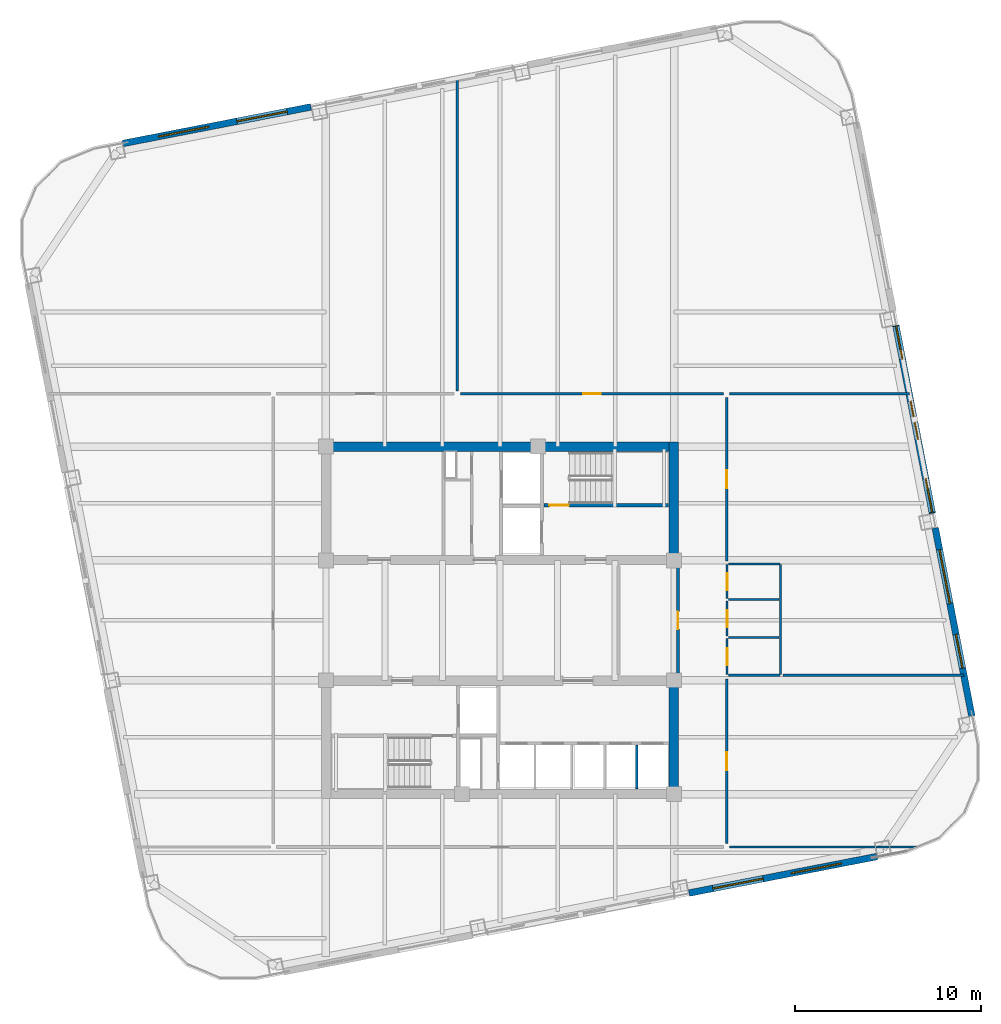
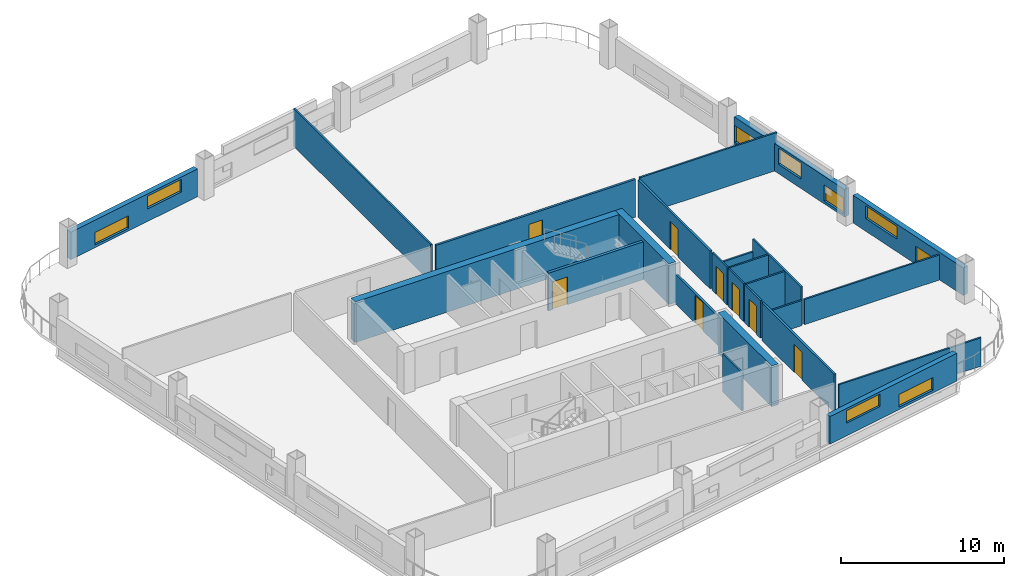
# One storey, part 4 of 8: 25 walls, 9 windows, 8 doors, 17 openings.
"""IFC4 building model written with IfcOpenShell, lengths in metres."""

from ifc_helpers import new_model, si_unit, direction, frame, frame_2d, origin, place, context, subcontext, project, spatial, rectangle, extrude, material, layer, layer_set, type_object, element, fill, save


model = new_model("IFC4")

# Units and contexts
model_context = context("Model", 3, precision=1e-05, world=origin(), true_north=direction((0.0, 1.0)))
body_context = subcontext(model_context, "Body", "Model", "MODEL_VIEW")
ifc_project = project(units=[si_unit("LENGTHUNIT", "METRE"), si_unit("AREAUNIT", "SQUARE_METRE"), si_unit("VOLUMEUNIT", "CUBIC_METRE"), si_unit("PLANEANGLEUNIT", "RADIAN"), si_unit("MASSUNIT", "GRAM", prefix="KILO")], contexts=[model_context])

# Site, building, storey
site_placement = place(None, origin())
site = spatial("IfcSite", under=ifc_project, at=site_placement, CompositionType="ELEMENT")
building_placement = place(site_placement, origin())
building = spatial("IfcBuilding", under=site, at=building_placement, Name="Qhalaya Broadcast Tower", CompositionType="ELEMENT")
storey_placement = place(building_placement, frame((0.0, 0.0, 115.85009765625)))
storey = spatial("IfcBuildingStorey", under=building, at=storey_placement, Name="L33", CompositionType="ELEMENT", Elevation=115.85009765625)

# Wall, opening, door
ifc_material_1 = material(Name="Gypsum Acoustic Partition")
ifc_layer_1 = layer(ifc_material_1, 0.14990234375, Name="Gypsum Acoustic Partition")
ifc_layer_set_1 = layer_set([ifc_layer_1], Name="Gypsum Acoustic Partition")
wall_type_1 = type_object("IfcWallType", Name="Corridor & Tenancy Acoustic Partition 150", PredefinedType="PARTITIONING", material=ifc_layer_set_1)
wall_1_placement = place(storey_placement, frame((9.580078125, -2.320068359375, 0.0), z_axis=(0.0, 0.0, 1.0), x_axis=(0.0, 1.0, 0.0)))
wall_1 = element("IfcWall", 1, at=wall_1_placement, inside=storey, type_object=wall_type_1, Name="L33 Partition Wall W-ICHE", PredefinedType="PARTITIONING", context=body_context, shape_type="SweptSolid", body=[
    extrude(rectangle(XDim=5.840087890625, YDim=0.14990234375, at=frame_2d((2.919921875, 0.0))), origin(), (0.0, 0.0, 1.0), 2.197998046875),
])
opening_1_placement = place(wall_1_placement, frame((2.445068359375, 0.0, 0.0)))
opening_1 = element("IfcOpeningElement", 2, at=opening_1_placement, cuts=wall_1, Name="Opening D10", PredefinedType="OPENING", context=body_context, shape_type="SweptSolid", body=[
    extrude(rectangle(XDim=0.949951171875, YDim=2.10009765625, at=frame_2d((0.47509765625, 1.050048828125))), frame((0.0, 0.0869140625, 0.0), z_axis=(0.0, -1.0, 0.0), x_axis=(1.0, 0.0, 0.0)), (0.0, 0.0, 1.0), 0.173828125),
])
ifc_material_2 = material(Name="Timber Veneer Acoustic Door", Category="wood")
door_type_1 = type_object("IfcDoorType", Name="Cellular Office & Edit Booth Door D10", OperationType="NOTDEFINED", PredefinedType="DOOR", material=ifc_material_2)
door_1_placement = place(opening_1_placement, origin())
door_1 = element("IfcDoor", 3, at=door_1_placement, inside=storey, type_object=door_type_1, Name="L33 Door D-ICHE", OperationType="SINGLE_SWING_RIGHT", OverallHeight=2.10009765625, OverallWidth=0.949951171875, PredefinedType="DOOR", context=body_context, shape_type="SweptSolid", body=[
    extrude(rectangle(XDim=0.949951171875, YDim=2.10009765625, at=frame_2d((0.47509765625, 1.050048828125))), frame((0.0, 0.02490234375, 0.0), z_axis=(0.0, -1.0, 0.0), x_axis=(1.0, 0.0, 0.0)), (0.0, 0.0, 1.0), 0.050048828125),
])
fill(opening_1, door_1)

wall_2_placement = place(storey_placement, frame((-2.1201171875, 12.800048828125, 0.0), z_axis=(0.0, 0.0, 1.0), x_axis=(1.0, 0.0, 0.0)))
wall_2 = element("IfcWall", 4, at=wall_2_placement, inside=storey, type_object=wall_type_1, Name="L33 Partition Wall W-COR-02", PredefinedType="PARTITIONING", context=body_context, shape_type="SweptSolid", body=[
    extrude(rectangle(XDim=14.14013671875, YDim=0.14990234375, at=frame_2d((7.070068359375, 0.0))), origin(), (0.0, 0.0, 1.0), 2.829833984375),
])
opening_2_placement = place(wall_2_placement, frame((6.594970703125, 0.0, 0.0)))
opening_2 = element("IfcOpeningElement", 5, at=opening_2_placement, cuts=wall_2, Name="Opening D10", PredefinedType="OPENING", context=body_context, shape_type="SweptSolid", body=[
    extrude(rectangle(XDim=0.949951171875, YDim=2.10009765625, at=frame_2d((0.47509765625, 1.050048828125))), frame((0.0, 0.0869140625, 0.0), z_axis=(0.0, -1.0, 0.0), x_axis=(1.0, 0.0, 0.0)), (0.0, 0.0, 1.0), 0.173828125),
])
door_2_placement = place(opening_2_placement, origin())
door_2 = element("IfcDoor", 6, at=door_2_placement, inside=storey, type_object=door_type_1, Name="L33 Door D-RM02", OperationType="SINGLE_SWING_RIGHT", OverallHeight=2.10009765625, OverallWidth=0.949951171875, PredefinedType="DOOR", context=body_context, shape_type="SweptSolid", body=[
    extrude(rectangle(XDim=0.949951171875, YDim=2.10009765625, at=frame_2d((0.47509765625, 1.050048828125))), frame((0.0, 0.02490234375, 0.0), z_axis=(0.0, -1.0, 0.0), x_axis=(1.0, 0.0, 0.0)), (0.0, 0.0, 1.0), 0.050048828125),
])
fill(opening_2, door_2)

wall_3_placement = place(storey_placement, frame((12.199951171875, -11.39990234375, 0.0), z_axis=(0.0, 0.0, 1.0), x_axis=(0.0, 1.0, 0.0)))
wall_3 = element("IfcWall", 7, at=wall_3_placement, inside=storey, type_object=wall_type_1, Name="L33 Partition Wall W-COR-05", PredefinedType="PARTITIONING", context=body_context, shape_type="SweptSolid", body=[
    extrude(rectangle(XDim=8.83984375, YDim=0.14990234375, at=frame_2d((4.419921875, 0.0))), origin(), (0.0, 0.0, 1.0), 2.829833984375),
])
opening_3_placement = place(wall_3_placement, frame((3.945068359375, 0.0, 0.0)))
opening_3 = element("IfcOpeningElement", 8, at=opening_3_placement, cuts=wall_3, Name="Opening D10", PredefinedType="OPENING", context=body_context, shape_type="SweptSolid", body=[
    extrude(rectangle(XDim=0.949951171875, YDim=2.10009765625, at=frame_2d((0.47509765625, 1.050048828125))), frame((0.0, 0.0869140625, 0.0), z_axis=(0.0, -1.0, 0.0), x_axis=(1.0, 0.0, 0.0)), (0.0, 0.0, 1.0), 0.173828125),
])
door_3_placement = place(opening_3_placement, origin())
door_3 = element("IfcDoor", 9, at=door_3_placement, inside=storey, type_object=door_type_1, Name="L33 Door D-RM05", OperationType="SINGLE_SWING_LEFT", OverallHeight=2.10009765625, OverallWidth=0.949951171875, PredefinedType="DOOR", context=body_context, shape_type="SweptSolid", body=[
    extrude(rectangle(XDim=0.949951171875, YDim=2.10009765625, at=frame_2d((0.47509765625, 1.050048828125))), frame((0.0, 0.02490234375, 0.0), z_axis=(0.0, -1.0, 0.0), x_axis=(1.0, 0.0, 0.0)), (0.0, 0.0, 1.0), 0.050048828125),
])
fill(opening_3, door_3)

wall_4_placement = place(storey_placement, frame((12.199951171875, 3.800048828125, 0.0), z_axis=(0.0, 0.0, 1.0), x_axis=(0.0, 1.0, 0.0)))
wall_4 = element("IfcWall", 10, at=wall_4_placement, inside=storey, type_object=wall_type_1, Name="L33 Partition Wall W-COR-06", PredefinedType="PARTITIONING", context=body_context, shape_type="SweptSolid", body=[
    extrude(rectangle(XDim=8.800048828125, YDim=0.14990234375, at=frame_2d((4.39990234375, 0.0))), origin(), (0.0, 0.0, 1.0), 2.829833984375),
])
opening_4_placement = place(wall_4_placement, frame((3.925048828125, 0.0, 0.0)))
opening_4 = element("IfcOpeningElement", 11, at=opening_4_placement, cuts=wall_4, Name="Opening D10", PredefinedType="OPENING", context=body_context, shape_type="SweptSolid", body=[
    extrude(rectangle(XDim=0.949951171875, YDim=2.10009765625, at=frame_2d((0.47509765625, 1.050048828125))), frame((0.0, 0.0869140625, 0.0), z_axis=(0.0, -1.0, 0.0), x_axis=(1.0, 0.0, 0.0)), (0.0, 0.0, 1.0), 0.173828125),
])
door_4_placement = place(opening_4_placement, origin())
door_4 = element("IfcDoor", 12, at=door_4_placement, inside=storey, type_object=door_type_1, Name="L33 Door D-RM06", OperationType="SINGLE_SWING_RIGHT", OverallHeight=2.10009765625, OverallWidth=0.949951171875, PredefinedType="DOOR", context=body_context, shape_type="SweptSolid", body=[
    extrude(rectangle(XDim=0.949951171875, YDim=2.10009765625, at=frame_2d((0.47509765625, 1.050048828125))), frame((0.0, 0.02490234375, 0.0), z_axis=(0.0, -1.0, 0.0), x_axis=(1.0, 0.0, 0.0)), (0.0, 0.0, 1.0), 0.050048828125),
])
fill(opening_4, door_4)

# Wall, openings, windows
ifc_material_3 = material(Name="Precast Concrete C40/50", Category="concrete")
ifc_layer_2 = layer(ifc_material_3, 0.360107421875, Name="Precast Concrete C40/50")
ifc_layer_set_2 = layer_set([ifc_layer_2], Name="Precast Concrete C40/50")
wall_type_2 = type_object("IfcWallType", Name="Insulated Precast Terracotta Exterior Wall 360", PredefinedType="SOLIDWALL", material=ifc_layer_set_2)
wall_5_placement = place(storey_placement, frame((20.29638671875, -12.10986328125, 0.0), z_axis=(0.0, 0.0, 1.0), x_axis=(-0.981628941133, -0.190799952646, 0.0)))
wall_5 = element("IfcWall", 13, at=wall_5_placement, inside=storey, type_object=wall_type_2, Name="L33 Exoskeleton Diagrid Infill Wall S1", PredefinedType="SOLIDWALL", context=body_context, shape_type="SweptSolid", body=[
    extrude(rectangle(XDim=10.31201171875, YDim=0.360107421875, at=frame_2d((5.156005859375, 0.0))), origin(), (0.0, 0.0, 1.0), 2.06689453125),
])
opening_5_placement = place(wall_5_placement, frame((1.949951171875, 0.0, 0.199951171875)))
opening_5 = element("IfcOpeningElement", 14, at=opening_5_placement, cuts=wall_5, Name="Opening W11", PredefinedType="OPENING", context=body_context, shape_type="SweptSolid", body=[
    extrude(rectangle(XDim=2.75, YDim=0.949951171875, at=frame_2d((1.375, 0.47509765625))), frame((0.0, 0.192138671875, 0.0), z_axis=(0.0, -1.0, 0.0), x_axis=(1.0, 0.0, 0.0)), (0.0, 0.0, 1.0), 0.384033203125),
])
opening_6_placement = place(wall_5_placement, frame((6.25, 0.0, 0.949951171875)))
opening_6 = element("IfcOpeningElement", 15, at=opening_6_placement, cuts=wall_5, Name="Opening W11", PredefinedType="OPENING", context=body_context, shape_type="SweptSolid", body=[
    extrude(rectangle(XDim=2.75, YDim=0.949951171875, at=frame_2d((1.375, 0.47509765625))), frame((0.0, 0.192138671875, 0.0), z_axis=(0.0, -1.0, 0.0), x_axis=(1.0, 0.0, 0.0)), (0.0, 0.0, 1.0), 0.384033203125),
])
ifc_material_4 = material(Name="Solar-Control Low-E Triple Glazing", Category="glass")
window_type = type_object("IfcWindowType", Name="Odd-Block Diagrid Infill Window W11", PartitioningType="SINGLE_PANEL", PredefinedType="WINDOW", material=ifc_material_4)
window_1_placement = place(opening_5_placement, origin())
window_1 = element("IfcWindow", 16, at=window_1_placement, inside=storey, type_object=window_type, Name="L33 Diagrid Infill Window W11-S1", OverallHeight=0.949951171875, OverallWidth=2.75, PartitioningType="SINGLE_PANEL", PredefinedType="WINDOW", context=body_context, shape_type="SweptSolid", body=[
    extrude(rectangle(XDim=2.75, YDim=0.949951171875, at=frame_2d((1.375, 0.47509765625))), frame((0.0, 0.030029296875, 0.0), z_axis=(0.0, -1.0, 0.0), x_axis=(1.0, 0.0, 0.0)), (0.0, 0.0, 1.0), 0.06005859375),
])
fill(opening_5, window_1)
window_2_placement = place(opening_6_placement, origin())
window_2 = element("IfcWindow", 17, at=window_2_placement, inside=storey, type_object=window_type, Name="L33 Diagrid Infill Window W11-S2", OverallHeight=0.949951171875, OverallWidth=2.75, PartitioningType="SINGLE_PANEL", PredefinedType="WINDOW", context=body_context, shape_type="SweptSolid", body=[
    extrude(rectangle(XDim=2.75, YDim=0.949951171875, at=frame_2d((1.375, 0.47509765625))), frame((0.0, 0.030029296875, 0.0), z_axis=(0.0, -1.0, 0.0), x_axis=(1.0, 0.0, 0.0)), (0.0, 0.0, 1.0), 0.06005859375),
])
fill(opening_6, window_2)

wall_6_placement = place(storey_placement, frame((21.31005859375, 16.468505859375, 0.0), z_axis=(0.0, 0.0, 1.0), x_axis=(0.190811924826, -0.981626614016, 0.0)))
wall_6 = element("IfcWall", 18, at=wall_6_placement, inside=storey, type_object=wall_type_2, Name="L33 Exoskeleton Diagrid Infill Wall E2", PredefinedType="SOLIDWALL", context=body_context, shape_type="SweptSolid", body=[
    extrude(rectangle(XDim=10.2998046875, YDim=0.360107421875, at=frame_2d((5.14990234375, 0.0))), origin(), (0.0, 0.0, 1.0), 2.06689453125),
])
opening_7_placement = place(wall_6_placement, frame((0.0380859375, 0.0, 0.199951171875)))
opening_7 = element("IfcOpeningElement", 19, at=opening_7_placement, cuts=wall_6, Name="Opening W11", PredefinedType="OPENING", context=body_context, shape_type="SweptSolid", body=[
    extrude(rectangle(XDim=1.800048828125, YDim=1.25, at=frame_2d((0.89990234375, 0.625))), frame((0.0, 0.192138671875, 0.0), z_axis=(0.0, -1.0, 0.0), x_axis=(1.0, 0.0, 0.0)), (0.0, 0.0, 1.0), 0.384033203125),
])
opening_8_placement = place(wall_6_placement, frame((4.137939453125, 0.0, 0.699951171875)))
opening_8 = element("IfcOpeningElement", 20, at=opening_8_placement, cuts=wall_6, Name="Opening W11", PredefinedType="OPENING", context=body_context, shape_type="SweptSolid", body=[
    extrude(rectangle(XDim=2.10009765625, YDim=1.199951171875, at=frame_2d((1.050048828125, 0.60009765625))), frame((0.0, 0.192138671875, 0.0), z_axis=(0.0, -1.0, 0.0), x_axis=(1.0, 0.0, 0.0)), (0.0, 0.0, 1.0), 0.384033203125),
])
opening_9_placement = place(wall_6_placement, frame((8.387939453125, 0.0, 0.199951171875)))
opening_9 = element("IfcOpeningElement", 21, at=opening_9_placement, cuts=wall_6, Name="Opening W11", PredefinedType="OPENING", context=body_context, shape_type="SweptSolid", body=[
    extrude(rectangle(XDim=1.85009765625, YDim=1.199951171875, at=frame_2d((0.925048828125, 0.60009765625))), frame((0.0, 0.192138671875, 0.0), z_axis=(0.0, -1.0, 0.0), x_axis=(1.0, 0.0, 0.0)), (0.0, 0.0, 1.0), 0.384033203125),
])
window_3_placement = place(opening_7_placement, origin())
window_3 = element("IfcWindow", 22, at=window_3_placement, inside=storey, type_object=window_type, Name="L33 Diagrid Infill Window W11-E3", OverallHeight=1.25, OverallWidth=1.800048828125, PartitioningType="SINGLE_PANEL", PredefinedType="WINDOW", context=body_context, shape_type="SweptSolid", body=[
    extrude(rectangle(XDim=1.800048828125, YDim=1.25, at=frame_2d((0.89990234375, 0.625))), frame((0.0, 0.030029296875, 0.0), z_axis=(0.0, -1.0, 0.0), x_axis=(1.0, 0.0, 0.0)), (0.0, 0.0, 1.0), 0.06005859375),
])
fill(opening_7, window_3)
window_4_placement = place(opening_8_placement, origin())
window_4 = element("IfcWindow", 23, at=window_4_placement, inside=storey, type_object=window_type, Name="L33 Diagrid Infill Window W11-E4", OverallHeight=1.199951171875, OverallWidth=2.10009765625, PartitioningType="SINGLE_PANEL", PredefinedType="WINDOW", context=body_context, shape_type="SweptSolid", body=[
    extrude(rectangle(XDim=2.10009765625, YDim=1.199951171875, at=frame_2d((1.050048828125, 0.60009765625))), frame((0.0, 0.030029296875, 0.0), z_axis=(0.0, -1.0, 0.0), x_axis=(1.0, 0.0, 0.0)), (0.0, 0.0, 1.0), 0.06005859375),
])
fill(opening_8, window_4)
window_5_placement = place(opening_9_placement, origin())
window_5 = element("IfcWindow", 24, at=window_5_placement, inside=storey, type_object=window_type, Name="L33 Diagrid Infill Window W11-E5", OverallHeight=1.199951171875, OverallWidth=1.85009765625, PartitioningType="SINGLE_PANEL", PredefinedType="WINDOW", context=body_context, shape_type="SweptSolid", body=[
    extrude(rectangle(XDim=1.85009765625, YDim=1.199951171875, at=frame_2d((0.925048828125, 0.60009765625))), frame((0.0, 0.030029296875, 0.0), z_axis=(0.0, -1.0, 0.0), x_axis=(1.0, 0.0, 0.0)), (0.0, 0.0, 1.0), 0.06005859375),
])
fill(opening_9, window_5)

wall_7_placement = place(storey_placement, frame((23.427978515625, 5.572509765625, 0.0), z_axis=(0.0, 0.0, 1.0), x_axis=(0.190827200853, -0.981623644486, 0.0)))
wall_7 = element("IfcWall", 25, at=wall_7_placement, inside=storey, type_object=wall_type_2, Name="L33 Exoskeleton Diagrid Infill Wall E3", PredefinedType="SOLIDWALL", context=body_context, shape_type="SweptSolid", body=[
    extrude(rectangle(XDim=10.311767578125, YDim=0.360107421875, at=frame_2d((5.15576171875, 0.0))), origin(), (0.0, 0.0, 1.0), 2.06689453125),
])
opening_10_placement = place(wall_7_placement, frame((1.18798828125, 0.0, 0.949951171875)))
opening_10 = element("IfcOpeningElement", 26, at=opening_10_placement, cuts=wall_7, Name="Opening W11", PredefinedType="OPENING", context=body_context, shape_type="SweptSolid", body=[
    extrude(rectangle(XDim=2.949951171875, YDim=0.949951171875, at=frame_2d((1.47509765625, 0.47509765625))), frame((0.0, 0.192138671875, 0.0), z_axis=(0.0, -1.0, 0.0), x_axis=(1.0, 0.0, 0.0)), (0.0, 0.0, 1.0), 0.384033203125),
])
opening_11_placement = place(wall_7_placement, frame((5.837890625, 0.0, 0.199951171875)))
opening_11 = element("IfcOpeningElement", 27, at=opening_11_placement, cuts=wall_7, Name="Opening W11", PredefinedType="OPENING", context=body_context, shape_type="SweptSolid", body=[
    extrude(rectangle(XDim=1.85009765625, YDim=1.14990234375, at=frame_2d((0.925048828125, 0.574951171875))), frame((0.0, 0.192138671875, 0.0), z_axis=(0.0, -1.0, 0.0), x_axis=(1.0, 0.0, 0.0)), (0.0, 0.0, 1.0), 0.384033203125),
])
window_6_placement = place(opening_10_placement, origin())
window_6 = element("IfcWindow", 28, at=window_6_placement, inside=storey, type_object=window_type, Name="L33 Diagrid Infill Window W11-E6", OverallHeight=0.949951171875, OverallWidth=2.949951171875, PartitioningType="SINGLE_PANEL", PredefinedType="WINDOW", context=body_context, shape_type="SweptSolid", body=[
    extrude(rectangle(XDim=2.949951171875, YDim=0.949951171875, at=frame_2d((1.47509765625, 0.47509765625))), frame((0.0, 0.030029296875, 0.0), z_axis=(0.0, -1.0, 0.0), x_axis=(1.0, 0.0, 0.0)), (0.0, 0.0, 1.0), 0.06005859375),
])
fill(opening_10, window_6)
window_7_placement = place(opening_11_placement, origin())
window_7 = element("IfcWindow", 29, at=window_7_placement, inside=storey, type_object=window_type, Name="L33 Diagrid Infill Window W11-E7", OverallHeight=1.14990234375, OverallWidth=1.85009765625, PartitioningType="SINGLE_PANEL", PredefinedType="WINDOW", context=body_context, shape_type="SweptSolid", body=[
    extrude(rectangle(XDim=1.85009765625, YDim=1.14990234375, at=frame_2d((0.925048828125, 0.574951171875))), frame((0.0, 0.030029296875, 0.0), z_axis=(0.0, -1.0, 0.0), x_axis=(1.0, 0.0, 0.0)), (0.0, 0.0, 1.0), 0.06005859375),
])
fill(opening_11, window_7)

wall_8_placement = place(storey_placement, frame((-20.29638671875, 26.269775390625, 0.0), z_axis=(0.0, 0.0, 1.0), x_axis=(0.981628941133, 0.190799952646, 0.0)))
wall_8 = element("IfcWall", 30, at=wall_8_placement, inside=storey, type_object=wall_type_2, Name="L33 Exoskeleton Diagrid Infill Wall N1", PredefinedType="SOLIDWALL", context=body_context, shape_type="SweptSolid", body=[
    extrude(rectangle(XDim=10.31201171875, YDim=0.360107421875, at=frame_2d((5.156005859375, 0.0))), origin(), (0.0, 0.0, 1.0), 2.06689453125),
])
opening_12_placement = place(wall_8_placement, frame((1.949951171875, 0.0, 0.199951171875)))
opening_12 = element("IfcOpeningElement", 31, at=opening_12_placement, cuts=wall_8, Name="Opening W11", PredefinedType="OPENING", context=body_context, shape_type="SweptSolid", body=[
    extrude(rectangle(XDim=2.75, YDim=0.949951171875, at=frame_2d((1.375, 0.47509765625))), frame((0.0, 0.192138671875, 0.0), z_axis=(0.0, -1.0, 0.0), x_axis=(1.0, 0.0, 0.0)), (0.0, 0.0, 1.0), 0.384033203125),
])
opening_13_placement = place(wall_8_placement, frame((6.25, 0.0, 0.949951171875)))
opening_13 = element("IfcOpeningElement", 32, at=opening_13_placement, cuts=wall_8, Name="Opening W11", PredefinedType="OPENING", context=body_context, shape_type="SweptSolid", body=[
    extrude(rectangle(XDim=2.75, YDim=0.949951171875, at=frame_2d((1.375, 0.47509765625))), frame((0.0, 0.192138671875, 0.0), z_axis=(0.0, -1.0, 0.0), x_axis=(1.0, 0.0, 0.0)), (0.0, 0.0, 1.0), 0.384033203125),
])
window_8_placement = place(opening_12_placement, origin())
window_8 = element("IfcWindow", 33, at=window_8_placement, inside=storey, type_object=window_type, Name="L33 Diagrid Infill Window W11-N1", OverallHeight=0.949951171875, OverallWidth=2.75, PartitioningType="SINGLE_PANEL", PredefinedType="WINDOW", context=body_context, shape_type="SweptSolid", body=[
    extrude(rectangle(XDim=2.75, YDim=0.949951171875, at=frame_2d((1.375, 0.47509765625))), frame((0.0, 0.030029296875, 0.0), z_axis=(0.0, -1.0, 0.0), x_axis=(1.0, 0.0, 0.0)), (0.0, 0.0, 1.0), 0.06005859375),
])
fill(opening_12, window_8)
window_9_placement = place(opening_13_placement, origin())
window_9 = element("IfcWindow", 34, at=window_9_placement, inside=storey, type_object=window_type, Name="L33 Diagrid Infill Window W11-N2", OverallHeight=0.949951171875, OverallWidth=2.75, PartitioningType="SINGLE_PANEL", PredefinedType="WINDOW", context=body_context, shape_type="SweptSolid", body=[
    extrude(rectangle(XDim=2.75, YDim=0.949951171875, at=frame_2d((1.375, 0.47509765625))), frame((0.0, 0.030029296875, 0.0), z_axis=(0.0, -1.0, 0.0), x_axis=(1.0, 0.0, 0.0)), (0.0, 0.0, 1.0), 0.06005859375),
])
fill(opening_13, window_9)

# Wall, opening, door
ifc_material_5 = material(Name="Concrete C50/60", Category="concrete")
ifc_layer_3 = layer(ifc_material_5, 0.199951171875, Name="Concrete C50/60")
ifc_layer_set_3 = layer_set([ifc_layer_3], Name="Concrete C50/60")
wall_type_3 = type_object("IfcWallType", Name="Load-Bearing Stair Shaft Wall 200", PredefinedType="SHEAR", material=ifc_layer_set_3)
wall_9_placement = place(storey_placement, frame((2.360107421875, 6.804931640625, 0.0), z_axis=(0.0, 0.0, 1.0), x_axis=(1.0, 0.0, 0.0)))
wall_9 = element("IfcWall", 35, at=wall_9_placement, inside=storey, type_object=wall_type_3, Name="L33 Stair Core Shear Wall NCW-ST1", PredefinedType="SHEAR", context=body_context, shape_type="SweptSolid", body=[
    extrude(rectangle(XDim=6.719970703125, YDim=0.199951171875, at=frame_2d((3.35986328125, 0.0))), origin(), (0.0, 0.0, 1.0), 2.829833984375),
])
opening_14_placement = place(wall_9_placement, frame((0.300048828125, 0.0, 0.0)))
opening_14 = element("IfcOpeningElement", 36, at=opening_14_placement, cuts=wall_9, Name="Opening D03", PredefinedType="OPENING", context=body_context, shape_type="SweptSolid", body=[
    extrude(rectangle(XDim=1.050048828125, YDim=2.080078125, at=frame_2d((0.52490234375, 1.0400390625))), frame((0.0, 0.112060546875, 0.0), z_axis=(0.0, -1.0, 0.0), x_axis=(1.0, 0.0, 0.0)), (0.0, 0.0, 1.0), 0.223876953125),
])
ifc_material_6 = material(Name="Fire-Rated Steel Door", Category="steel")
door_type_2 = type_object("IfcDoorType", Name="Core Stair Protected Fire Door D03", OperationType="NOTDEFINED", PredefinedType="DOOR", material=ifc_material_6)
door_5_placement = place(opening_14_placement, origin())
door_5 = element("IfcDoor", 37, at=door_5_placement, inside=storey, type_object=door_type_2, Name="L33 Door D-NST1", OperationType="SINGLE_SWING_LEFT", OverallHeight=2.080078125, OverallWidth=1.050048828125, PredefinedType="DOOR", context=body_context, shape_type="SweptSolid", body=[
    extrude(rectangle(XDim=1.050048828125, YDim=2.080078125, at=frame_2d((0.52490234375, 1.0400390625))), frame((0.0, 0.02490234375, 0.0), z_axis=(0.0, -1.0, 0.0), x_axis=(1.0, 0.0, 0.0)), (0.0, 0.0, 1.0), 0.050048828125),
])
fill(opening_14, door_5)

# Walls
ifc_layer_4 = layer(ifc_material_5, 0.5, Name="Concrete C50/60")
ifc_layer_set_4 = layer_set([ifc_layer_4], Name="Concrete C50/60")
wall_type_4 = type_object("IfcWallType", Name="Mid Split-Core Shear Wall 500", PredefinedType="SHEAR", material=ifc_layer_set_4)
wall_10_placement = place(storey_placement, frame((-9.60009765625, 9.949951171875, 0.0), z_axis=(0.0, 0.0, 1.0), x_axis=(1.0, 0.0, 0.0)))
element("IfcWall", 38, at=wall_10_placement, inside=storey, type_object=wall_type_4, Name="L33 Split-Core Shear Wall CW-NN", PredefinedType="SHEAR", context=body_context, shape_type="SweptSolid", body=[
    extrude(rectangle(XDim=19.2001953125, YDim=0.5, at=frame_2d((9.60009765625, 0.0))), origin(), (0.0, 0.0, 1.0), 3.0498046875),
])
wall_11_placement = place(storey_placement, frame((9.35009765625, 3.60009765625, 0.0), z_axis=(0.0, 0.0, 1.0), x_axis=(0.0, 1.0, 0.0)))
element("IfcWall", 39, at=wall_11_placement, inside=storey, type_object=wall_type_4, Name="L33 Split-Core Shear Wall CW-NE", PredefinedType="SHEAR", context=body_context, shape_type="SweptSolid", body=[
    extrude(rectangle(XDim=6.599853515625, YDim=0.5, at=frame_2d((3.2998046875, 0.0))), origin(), (0.0, 0.0, 1.0), 3.0498046875),
])
wall_12_placement = place(storey_placement, frame((9.35009765625, -9.0, 0.0), z_axis=(0.0, 0.0, 1.0), x_axis=(0.0, 1.0, 0.0)))
element("IfcWall", 40, at=wall_12_placement, inside=storey, type_object=wall_type_4, Name="L33 Split-Core Shear Wall CW-SE", PredefinedType="SHEAR", context=body_context, shape_type="SweptSolid", body=[
    extrude(rectangle(XDim=6.60009765625, YDim=0.5, at=frame_2d((3.300048828125, 0.0))), origin(), (0.0, 0.0, 1.0), 3.0498046875),
])
ifc_layer_5 = layer(ifc_material_1, 0.1201171875, Name="Gypsum Acoustic Partition")
ifc_layer_set_5 = layer_set([ifc_layer_5], Name="Gypsum Acoustic Partition")
wall_type_5 = type_object("IfcWallType", Name="Office, Booth & Sanitary Partition 120", PredefinedType="PARTITIONING", material=ifc_layer_set_5)
wall_13_placement = place(storey_placement, frame((7.360107421875, -8.47998046875, 0.0), z_axis=(0.0, 0.0, 1.0), x_axis=(0.0, 1.0, 0.0)))
element("IfcWall", 41, at=wall_13_placement, inside=storey, type_object=wall_type_5, Name="L33 Partition Wall SCW-HD7", PredefinedType="PARTITIONING", context=body_context, shape_type="SweptSolid", body=[
    extrude(rectangle(XDim=2.3798828125, YDim=0.1201171875, at=frame_2d((1.18994140625, 0.0))), origin(), (0.0, 0.0, 1.0), 2.829833984375),
])

# Wall, opening, door
wall_14_placement = place(storey_placement, frame((12.219970703125, -2.320068359375, 0.0), z_axis=(0.0, 0.0, 1.0), x_axis=(0.0, 1.0, 0.0)))
wall_14 = element("IfcWall", 42, at=wall_14_placement, inside=storey, type_object=wall_type_5, Name="L33 Partition Wall W-WCWA", PredefinedType="PARTITIONING", context=body_context, shape_type="SweptSolid", body=[
    extrude(rectangle(XDim=1.940185546875, YDim=0.1201171875, at=frame_2d((0.97021484375, 0.0))), origin(), (0.0, 0.0, 1.0), 2.829833984375),
])
opening_15_placement = place(wall_14_placement, frame((0.4951171875, 0.0, 0.0)))
opening_15 = element("IfcOpeningElement", 43, at=opening_15_placement, cuts=wall_14, Name="Opening D12", PredefinedType="OPENING", context=body_context, shape_type="SweptSolid", body=[
    extrude(rectangle(XDim=0.919921875, YDim=2.10009765625, at=frame_2d((0.4599609375, 1.050048828125))), frame((0.0, 0.072021484375, 0.0), z_axis=(0.0, -1.0, 0.0), x_axis=(1.0, 0.0, 0.0)), (0.0, 0.0, 1.0), 0.14404296875),
])
door_type_3 = type_object("IfcDoorType", Name="Accessible WC & Restroom Door D12", OperationType="NOTDEFINED", PredefinedType="DOOR", material=ifc_material_2)
door_6_placement = place(opening_15_placement, origin())
door_6 = element("IfcDoor", 44, at=door_6_placement, inside=storey, type_object=door_type_3, Name="L33 Door D-WCA", OperationType="SINGLE_SWING_LEFT", OverallHeight=2.10009765625, OverallWidth=0.919921875, PredefinedType="DOOR", context=body_context, shape_type="SweptSolid", body=[
    extrude(rectangle(XDim=0.919921875, YDim=2.10009765625, at=frame_2d((0.4599609375, 1.050048828125))), frame((0.0, 0.02490234375, 0.0), z_axis=(0.0, -1.0, 0.0), x_axis=(1.0, 0.0, 0.0)), (0.0, 0.0, 1.0), 0.050048828125),
])
fill(opening_15, door_6)

wall_15_placement = place(storey_placement, frame((12.219970703125, -0.25, 0.0), z_axis=(0.0, 0.0, 1.0), x_axis=(0.0, 1.0, 0.0)))
wall_15 = element("IfcWall", 45, at=wall_15_placement, inside=storey, type_object=wall_type_5, Name="L33 Partition Wall W-WCWM", PredefinedType="PARTITIONING", context=body_context, shape_type="SweptSolid", body=[
    extrude(rectangle(XDim=1.89990234375, YDim=0.1201171875, at=frame_2d((0.949951171875, 0.0))), origin(), (0.0, 0.0, 1.0), 2.829833984375),
])
opening_16_placement = place(wall_15_placement, frame((0.47509765625, 0.0, 0.0)))
opening_16 = element("IfcOpeningElement", 46, at=opening_16_placement, cuts=wall_15, Name="Opening D12", PredefinedType="OPENING", context=body_context, shape_type="SweptSolid", body=[
    extrude(rectangle(XDim=0.919921875, YDim=2.10009765625, at=frame_2d((0.4599609375, 1.050048828125))), frame((0.0, 0.072021484375, 0.0), z_axis=(0.0, -1.0, 0.0), x_axis=(1.0, 0.0, 0.0)), (0.0, 0.0, 1.0), 0.14404296875),
])
door_7_placement = place(opening_16_placement, origin())
door_7 = element("IfcDoor", 47, at=door_7_placement, inside=storey, type_object=door_type_3, Name="L33 Door D-WCM", OperationType="SINGLE_SWING_RIGHT", OverallHeight=2.10009765625, OverallWidth=0.919921875, PredefinedType="DOOR", context=body_context, shape_type="SweptSolid", body=[
    extrude(rectangle(XDim=0.919921875, YDim=2.10009765625, at=frame_2d((0.4599609375, 1.050048828125))), frame((0.0, 0.02490234375, 0.0), z_axis=(0.0, -1.0, 0.0), x_axis=(1.0, 0.0, 0.0)), (0.0, 0.0, 1.0), 0.050048828125),
])
fill(opening_16, door_7)

wall_16_placement = place(storey_placement, frame((12.219970703125, 1.780029296875, 0.0), z_axis=(0.0, 0.0, 1.0), x_axis=(0.0, 1.0, 0.0)))
wall_16 = element("IfcWall", 48, at=wall_16_placement, inside=storey, type_object=wall_type_5, Name="L33 Partition Wall W-WCWF", PredefinedType="PARTITIONING", context=body_context, shape_type="SweptSolid", body=[
    extrude(rectangle(XDim=1.830078125, YDim=0.1201171875, at=frame_2d((0.9150390625, 0.0))), origin(), (0.0, 0.0, 1.0), 2.829833984375),
])
opening_17_placement = place(wall_16_placement, frame((0.43994140625, 0.0, 0.0)))
opening_17 = element("IfcOpeningElement", 49, at=opening_17_placement, cuts=wall_16, Name="Opening D12", PredefinedType="OPENING", context=body_context, shape_type="SweptSolid", body=[
    extrude(rectangle(XDim=0.919921875, YDim=2.10009765625, at=frame_2d((0.4599609375, 1.050048828125))), frame((0.0, 0.072021484375, 0.0), z_axis=(0.0, -1.0, 0.0), x_axis=(1.0, 0.0, 0.0)), (0.0, 0.0, 1.0), 0.14404296875),
])
door_8_placement = place(opening_17_placement, origin())
door_8 = element("IfcDoor", 50, at=door_8_placement, inside=storey, type_object=door_type_3, Name="L33 Door D-WCF", OperationType="SINGLE_SWING_LEFT", OverallHeight=2.10009765625, OverallWidth=0.919921875, PredefinedType="DOOR", context=body_context, shape_type="SweptSolid", body=[
    extrude(rectangle(XDim=0.919921875, YDim=2.10009765625, at=frame_2d((0.4599609375, 1.050048828125))), frame((0.0, 0.02490234375, 0.0), z_axis=(0.0, -1.0, 0.0), x_axis=(1.0, 0.0, 0.0)), (0.0, 0.0, 1.0), 0.050048828125),
])
fill(opening_17, door_8)

# Walls
wall_17_placement = place(storey_placement, frame((15.10009765625, -2.320068359375, 0.0), z_axis=(0.0, 0.0, 1.0), x_axis=(0.0, 1.0, 0.0)))
element("IfcWall", 51, at=wall_17_placement, inside=storey, type_object=wall_type_5, Name="L33 Partition Wall W-WCE", PredefinedType="PARTITIONING", context=body_context, shape_type="SweptSolid", body=[
    extrude(rectangle(XDim=5.93017578125, YDim=0.1201171875, at=frame_2d((2.965087890625, 0.0))), origin(), (0.0, 0.0, 1.0), 2.829833984375),
])
for number, where, z_axis, x_axis, name in (
    (52, (12.31005859375, -2.35009765625, 0.0), (0.0, 0.0, 1.0), (1.0, 0.0, 0.0), "L33 Partition Wall W-WCS"),
    (53, (12.31005859375, 3.639892578125, 0.0), (0.0, 0.0, 1.0), (1.0, 0.0, 0.0), "L33 Partition Wall W-WCN"),
):
    element("IfcWall", number, at=place(storey_placement, frame(where, z_axis=z_axis, x_axis=x_axis)), inside=storey, type_object=wall_type_5, Name=name, PredefinedType="PARTITIONING", context=body_context, shape_type="SweptSolid", body=[
        extrude(rectangle(XDim=2.760009765625, YDim=0.1201171875, at=frame_2d((1.3798828125, 0.0))), origin(), (0.0, 0.0, 1.0), 1.8828125),
    ])
for number, where, z_axis, x_axis, name in (
    (54, (12.31005859375, -0.320068359375, 0.0), (0.0, 0.0, 1.0), (1.0, 0.0, 0.0), "L33 Partition Wall W-WCD1"),
    (55, (12.31005859375, 1.719970703125, 0.0), (0.0, 0.0, 1.0), (1.0, 0.0, 0.0), "L33 Partition Wall W-WCD2"),
):
    element("IfcWall", number, at=place(storey_placement, frame(where, z_axis=z_axis, x_axis=x_axis)), inside=storey, type_object=wall_type_5, Name=name, PredefinedType="PARTITIONING", context=body_context, shape_type="SweptSolid", body=[
        extrude(rectangle(XDim=2.719970703125, YDim=0.1201171875, at=frame_2d((1.35986328125, 0.0))), origin(), (0.0, 0.0, 1.0), 2.829833984375),
    ])
wall_18_placement = place(storey_placement, frame((12.340087890625, 12.800048828125, 0.0), z_axis=(0.0, 0.0, 1.0), x_axis=(1.0, 0.0, 0.0)))
element("IfcWall", 56, at=wall_18_placement, inside=storey, type_object=wall_type_5, Name="L33 Partition Wall W-BNDE1", PredefinedType="PARTITIONING", context=body_context, shape_type="SweptSolid", body=[
    extrude(rectangle(XDim=9.703369140625, YDim=0.1201171875, at=frame_2d((4.8515625, 0.0))), origin(), (0.0, 0.0, 1.0), 2.829833984375),
])
wall_19_placement = place(storey_placement, frame((12.340087890625, -11.60009765625, 0.0), z_axis=(0.0, 0.0, 1.0), x_axis=(1.0, 0.0, 0.0)))
element("IfcWall", 57, at=wall_19_placement, inside=storey, type_object=wall_type_5, Name="L33 Partition Wall W-BNDE2", PredefinedType="PARTITIONING", context=body_context, shape_type="SweptSolid", body=[
    extrude(rectangle(XDim=10.06640625, YDim=0.1201171875, at=frame_2d((5.033203125, 0.0))), origin(), (0.0, 0.0, 1.0), 2.126953125),
])
wall_20_placement = place(storey_placement, frame((-2.300048828125, 12.9599609375, 0.0), z_axis=(0.0, 0.0, 1.0), x_axis=(0.0, 1.0, 0.0)))
element("IfcWall", 58, at=wall_20_placement, inside=storey, type_object=wall_type_5, Name="L33 Partition Wall W-DIVN1", PredefinedType="PARTITIONING", context=body_context, shape_type="SweptSolid", body=[
    extrude(rectangle(XDim=16.828369140625, YDim=0.1201171875, at=frame_2d((8.4140625, 0.0))), origin(), (0.0, 0.0, 1.0), 2.829833984375),
])
wall_21_placement = place(storey_placement, frame((15.239990234375, -2.35009765625, 0.0), z_axis=(0.0, 0.0, 1.0), x_axis=(1.0, 0.0, 0.0)))
element("IfcWall", 59, at=wall_21_placement, inside=storey, type_object=wall_type_5, Name="L33 Partition Wall W-DIVE-WC", PredefinedType="PARTITIONING", context=body_context, shape_type="SweptSolid", body=[
    extrude(rectangle(XDim=9.748291015625, YDim=0.1201171875, at=frame_2d((4.8740234375, 0.0))), origin(), (0.0, 0.0, 1.0), 1.8828125),
])

save(model, "model.ifc")
